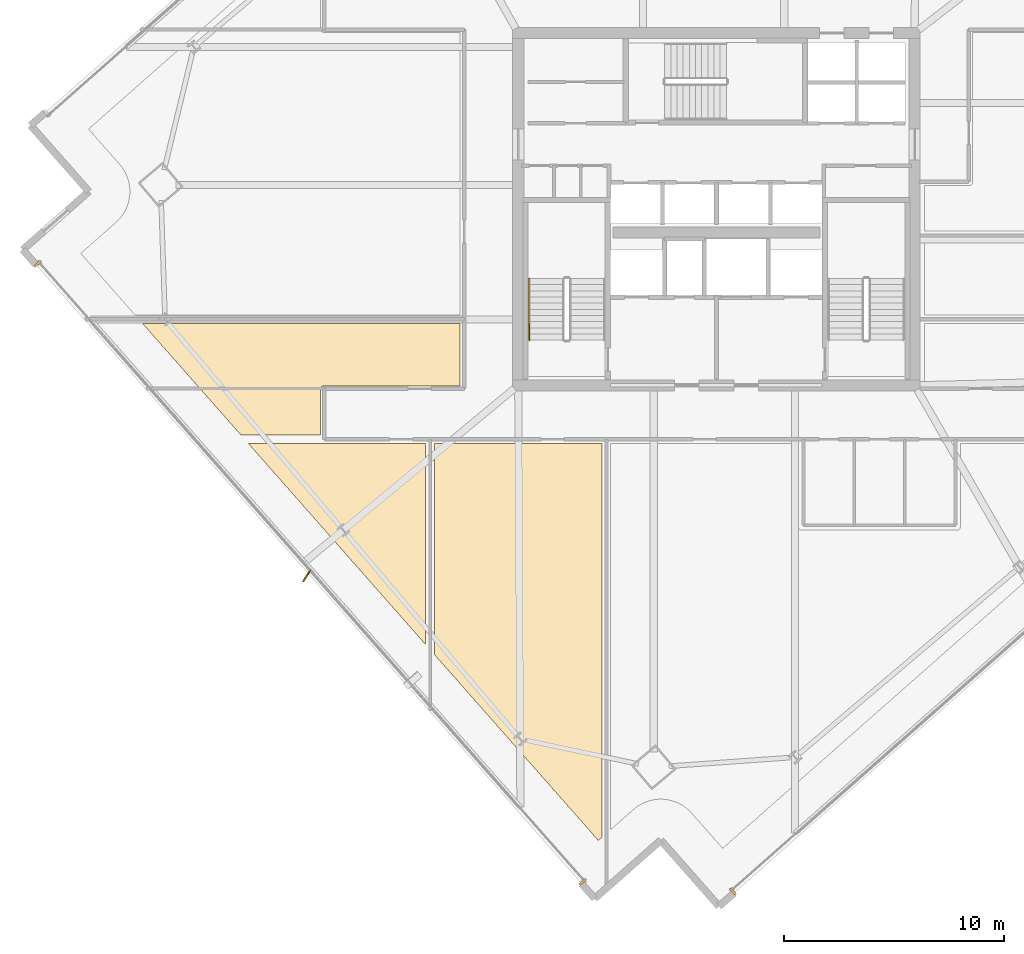
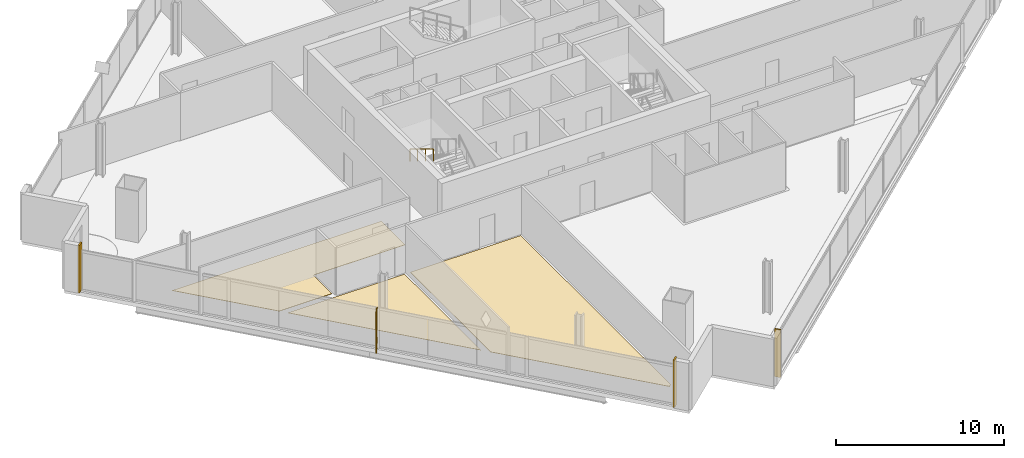
# One storey, part 30 of 34: 6 coverings, 1 railing, 1 shading device.
"""IFC4 building model written with IfcOpenShell, lengths in metres."""

from ifc_helpers import new_model, si_unit, direction, frame, origin, origin_2d, place, context, subcontext, project, spatial, polyline, rectangle, outline, extrude, source, transform, mapped, material, layer, layer_set, type_object, element, save


model = new_model("IFC4")

# Units and contexts
model_context = context("Model", 3, precision=1e-05, world=origin(), true_north=direction((0.0, 1.0)))
body_context = subcontext(model_context, "Body", "Model", "MODEL_VIEW")
ifc_project = project(units=[si_unit("LENGTHUNIT", "METRE"), si_unit("AREAUNIT", "SQUARE_METRE"), si_unit("VOLUMEUNIT", "CUBIC_METRE"), si_unit("PLANEANGLEUNIT", "RADIAN"), si_unit("MASSUNIT", "GRAM", prefix="KILO")], contexts=[model_context])

# Site, building, storey
site_placement = place(None, origin())
site = spatial("IfcSite", under=ifc_project, at=site_placement, CompositionType="ELEMENT")
building_placement = place(site_placement, origin())
building = spatial("IfcBuilding", under=site, at=building_placement, Name="Haldenkirk Collegiate Tower", CompositionType="ELEMENT")
storey_placement = place(building_placement, frame((0.0, 0.0, 166.949951171875)))
storey = spatial("IfcBuildingStorey", under=building, at=storey_placement, Name="L41", CompositionType="ELEMENT", Elevation=166.949951171875)

# Coverings
ifc_material_1 = material(Name="Polished collegiate terrazzo", Category="concrete")
ifc_layer_1 = layer(ifc_material_1, 0.02490234375)
ifc_layer_set_1 = layer_set([ifc_layer_1], Name="Polished collegiate terrazzo")
covering_type_1 = type_object("IfcCoveringType", Name="COV-FLOOR-TERRAZZO", PredefinedType="FLOORING", material=ifc_layer_set_1)
covering_1_placement = place(storey_placement, origin())
element("IfcCovering", 1, at=covering_1_placement, inside=storey, type_object=covering_type_1, Name="L41 academic room finish 02", PredefinedType="FLOORING", context=body_context, shape_type="SweptSolid", body=[
    extrude(outline(polyline([(30.63623046875, -2.665283203125), (23.199951171875, 5.76953125), (23.199951171875, 15.35009765625), (30.800048828125, 15.35009765625), (30.800048828125, -2.52099609375), (30.63623046875, -2.665283203125)])), origin(), (0.0, 0.0, 1.0), 0.025146484375),
])
covering_2_placement = place(storey_placement, origin())
element("IfcCovering", 2, at=covering_2_placement, inside=storey, type_object=covering_type_1, Name="L41 academic room finish 08", PredefinedType="FLOORING", context=body_context, shape_type="SweptSolid", body=[
    extrude(outline(polyline([(18.14990234375, 17.969970703125), (18.13818359375, 17.969482421875), (18.126708984375, 17.9677734375), (18.115234375, 17.96484375), (18.10400390625, 17.9609375), (18.093505859375, 17.955810546875), (18.083251953125, 17.94970703125), (18.073974609375, 17.94287109375), (18.065185546875, 17.934814453125), (18.05712890625, 17.926025390625), (18.05029296875, 17.916748046875), (18.044189453125, 17.906494140625), (18.0390625, 17.89599609375), (18.03515625, 17.884765625), (18.0322265625, 17.873291015625), (18.030517578125, 17.86181640625), (18.030029296875, 17.85009765625), (18.030029296875, 15.75), (14.401123046875, 15.75), (9.948974609375, 20.800048828125), (24.35009765625, 20.800048828125), (24.35009765625, 17.969970703125), (18.14990234375, 17.969970703125)])), origin(), (0.0, 0.0, 1.0), 0.025146484375),
])
ifc_material_2 = material(Name="Engineered collegiate oak acoustic flooring", Category="wood")
ifc_layer_2 = layer(ifc_material_2, 0.02197265625)
ifc_layer_set_2 = layer_set([ifc_layer_2], Name="Engineered collegiate oak acoustic flooring")
covering_type_2 = type_object("IfcCoveringType", Name="COV-FLOOR-TIMBER", PredefinedType="FLOORING", material=ifc_layer_set_2)
covering_3_placement = place(storey_placement, origin())
element("IfcCovering", 3, at=covering_3_placement, inside=storey, type_object=covering_type_2, Name="L41 academic room finish 01", PredefinedType="FLOORING", context=body_context, shape_type="SweptSolid", body=[
    extrude(outline(polyline([(14.75390625, 15.35009765625), (22.800048828125, 15.35009765625), (22.800048828125, 6.223388671875), (14.75390625, 15.35009765625)])), origin(), (0.0, 0.0, 1.0), 0.02197265625),
])

# Railing
ifc_material_3 = material(Name="Painted architectural tubular steel", Category="steel")
railing_type = type_object("IfcRailingType", Name="RLG-STAIR-HANDRAIL-900", PredefinedType="HANDRAIL", material=ifc_material_3)
railing_placement = place(storey_placement, frame((27.5, 22.85009765625, 2.04541015625)))
element("IfcRailing", 4, at=railing_placement, inside=storey, type_object=railing_type, Name="L41 ST-1 stair handrail 2", PredefinedType="HANDRAIL", context=body_context, shape_type="SweptSolid", body=[
    extrude(rectangle(XDim=0.048095703125, YDim=0.048095703125, at=origin_2d()), frame((0.0, 0.0, 0.8759765625), z_axis=(0.0, -0.854169791009, 0.51999420009), x_axis=(1.0, 0.0, 0.0)), (0.0, 0.0, 1.0), 3.278076171875),
    extrude(rectangle(XDim=0.0419921875, YDim=0.0419921875, at=origin_2d()), origin(), (0.0, 0.0, 1.0), 0.851806640625),
    extrude(rectangle(XDim=0.0419921875, YDim=0.0419921875, at=origin_2d()), frame((0.0, -0.933349609375, 0.568115234375)), (0.0, 0.0, 1.0), 0.851806640625),
    extrude(rectangle(XDim=0.0419921875, YDim=0.0419921875, at=origin_2d()), frame((0.0, -1.86669921875, 1.136474609375)), (0.0, 0.0, 1.0), 0.851806640625),
    extrude(rectangle(XDim=0.0419921875, YDim=0.0419921875, at=origin_2d()), frame((0.0, -2.800048828125, 1.70458984375)), (0.0, 0.0, 1.0), 0.851806640625),
])

# Coverings
ifc_material_4 = material(Name="Anodised architectural bronze aluminium", Category="aluminium")
ifc_layer_3 = layer(ifc_material_4, 0.06005859375)
ifc_layer_set_3 = layer_set([ifc_layer_3], Name="Anodised architectural bronze aluminium")
covering_type_3 = type_object("IfcCoveringType", Name="COV-CLAD-BRONZE-60", PredefinedType="CLADDING", material=ifc_layer_set_3)
shared_shape_1 = source(origin(), body_context, "Body", "SweptSolid", [
    extrude(rectangle(XDim=0.10009765625, YDim=0.3798828125, at=origin_2d()), origin(), (0.0, 0.0, 1.0), 3.4599609375),
])
for number, where, z_axis, x_axis, name in (
    (5, (36.75390625, -4.977294921875, 0.0), (0.0, 0.0, 1.0), (-0.75011106963, -0.661311865324, 0.0), "L41 recessed curtain-wall bronze jamb closure SJR"),
    (6, (29.922607421875, -4.547607421875, 0.0), (0.0, 0.0, 1.0), (-0.661311865324, 0.75011106963, 0.0), "L41 recessed curtain-wall bronze jamb closure WJL"),
    (7, (5.1796875, 23.51806640625, 0.0), (0.0, 0.0, 1.0), (-0.661311865324, 0.75011106963, 0.0), "L41 recessed curtain-wall bronze jamb closure WJR"),
):
    element("IfcCovering", number, at=place(storey_placement, frame(where, z_axis=z_axis, x_axis=x_axis)), inside=storey, type_object=covering_type_3, Name=name, PredefinedType="CLADDING", context=body_context, shape_type="MappedRepresentation", body=[
        mapped(shared_shape_1, transform((0.0, 0.0, 0.0), x_axis=(1.0, 0.0, 0.0), y_axis=(0.0, 1.0, 0.0), z_axis=(0.0, 0.0, 1.0), scale=1.0)),
    ])

# Shading device
ifc_layer_4 = layer(ifc_material_4, 0.06494140625)
ifc_layer_set_4 = layer_set([ifc_layer_4], Name="Anodised architectural bronze aluminium")
shading_device_type = type_object("IfcShadingDeviceType", Name="SHD-FIN-BRONZE-620", PredefinedType="USERDEFINED", material=ifc_layer_set_4)
shared_shape_2 = source(origin(), body_context, "Body", "SweptSolid", [
    extrude(rectangle(XDim=0.6201171875, YDim=0.06494140625, at=origin_2d()), origin(), (0.0, 0.0, 1.0), 2.910888671875),
])
shading_device_placement = place(storey_placement, frame((17.3974609375, 9.349609375, 0.0), z_axis=(0.0, 0.0, 1.0), x_axis=(-0.538770785007, -0.842452397007, 0.0)))
element("IfcShadingDevice", 8, at=shading_device_placement, inside=storey, type_object=shading_device_type, Name="L41 folded bronze solar fin 1", ObjectType="FIN", PredefinedType="USERDEFINED", context=body_context, shape_type="MappedRepresentation", body=[
    mapped(shared_shape_2, transform((0.0, 0.0, 0.0), x_axis=(1.0, 0.0, 0.0), y_axis=(0.0, 1.0, 0.0), z_axis=(0.0, 0.0, 1.0), scale=1.0)),
])

save(model, "model.ifc")
